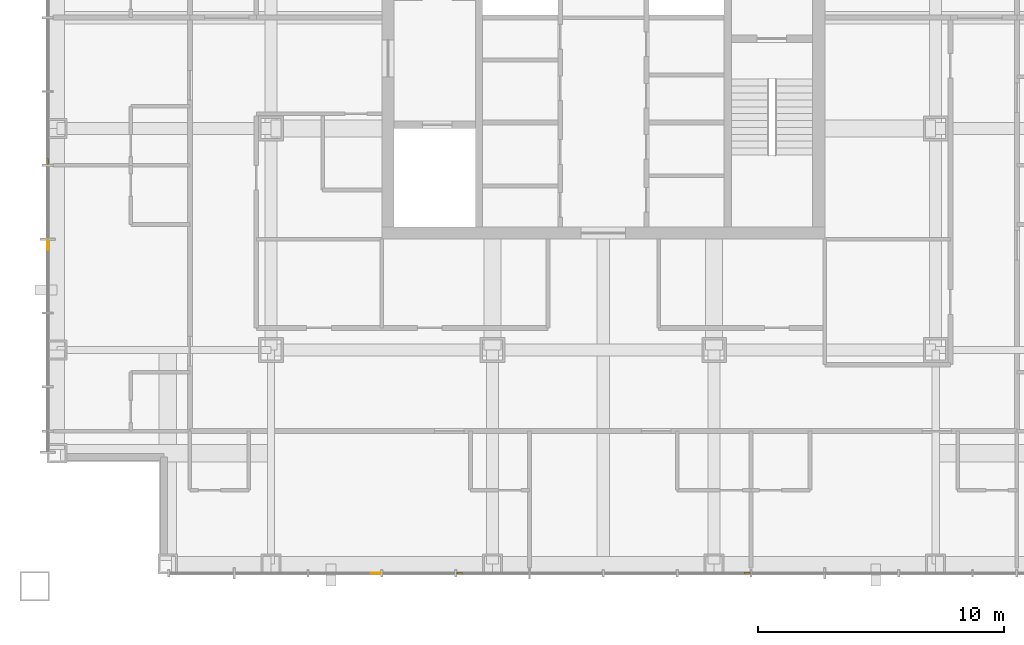
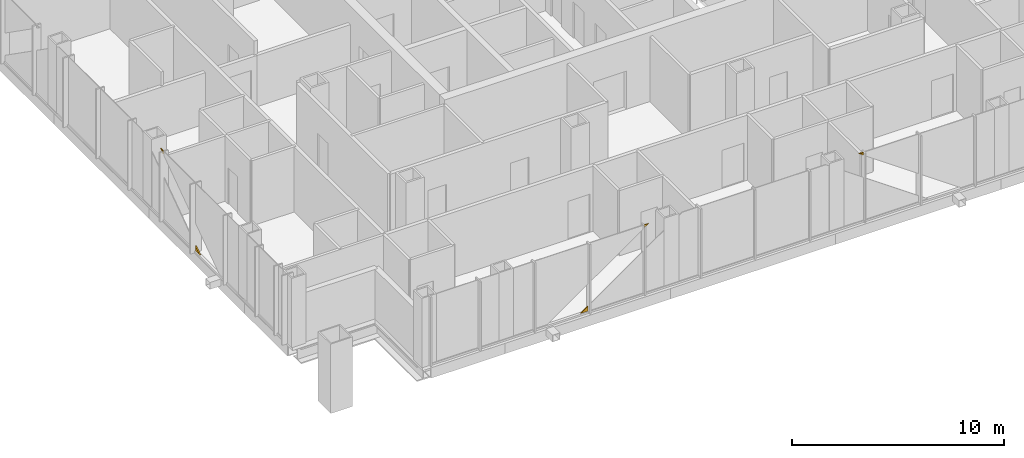
# One storey, part 13 of 17: 5 coverings.
"""IFC4 building model written with IfcOpenShell, lengths in metres."""

from ifc_helpers import new_model, si_unit, direction, frame, origin, place, context, subcontext, project, spatial, polyline, outline, extrude, material, layer, layer_set, type_object, element, save


model = new_model("IFC4")

# Units and contexts
model_context = context("Model", 3, precision=1e-05, world=origin(), true_north=direction((0.0, 1.0)))
body_context = subcontext(model_context, "Body", "Model", "MODEL_VIEW")
ifc_project = project(units=[si_unit("LENGTHUNIT", "METRE"), si_unit("AREAUNIT", "SQUARE_METRE"), si_unit("VOLUMEUNIT", "CUBIC_METRE"), si_unit("PLANEANGLEUNIT", "RADIAN"), si_unit("MASSUNIT", "GRAM", prefix="KILO")], contexts=[model_context])

# Site, building, storey
site_placement = place(None, origin())
site = spatial("IfcSite", under=ifc_project, at=site_placement, CompositionType="ELEMENT")
building_placement = place(site_placement, origin())
building = spatial("IfcBuilding", under=site, at=building_placement, Name="Malebo Sky Hospital", CompositionType="ELEMENT")
storey_placement = place(building_placement, frame((0.0, 0.0, 185.0)))
storey = spatial("IfcBuildingStorey", under=building, at=storey_placement, Name="L44", CompositionType="ELEMENT", Elevation=185.0)

# Coverings
ifc_material = material(Name="Anodised aluminium, natural silver insulated infill panel", Category="aluminium")
ifc_layer = layer(ifc_material, 0.0400390625)
ifc_layer_set = layer_set([ifc_layer], Name="BRACE INFILL PANEL 40")
covering_type = type_object("IfcCoveringType", Name="BRACE INFILL PANEL 40", PredefinedType="CLADDING", material=ifc_layer_set)
covering_1_placement = place(storey_placement, frame((37.425048828125, 52.759521484375, 0.10009765625), z_axis=(0.0, 0.0, 1.0), x_axis=(0.0, 1.0, 0.0)))
element("IfcCovering", 1, at=covering_1_placement, inside=storey, type_object=covering_type, Name="Brace infill panel 4.1", PredefinedType="CLADDING", context=body_context, shape_type="SweptSolid", body=[
    extrude(outline(polyline([(-0.202880859375, 0.0), (0.202880859375, 0.0), (0.202880859375, 0.284912109375), (-0.202880859375, 0.0)])), frame((0.0, 0.02001953125, 0.0), z_axis=(0.0, -1.0, 0.0), x_axis=(1.0, 0.0, 0.0)), (0.0, 0.0, 1.0), 0.0400390625),
])
for number, where, z_axis, x_axis, name in (
    (2, (37.425048828125, 56.152099609375, 3.8291015625), (0.0, 0.0, 1.0), (0.0, 1.0, 0.0), "Brace infill panel 6.1"),
    (3, (65.847900390625, 39.425048828125, 3.8291015625), (0.0, 0.0, 1.0), (-1.0, 0.0, 0.0), "Brace infill panel 6.1"),
):
    element("IfcCovering", number, at=place(storey_placement, frame(where, z_axis=z_axis, x_axis=x_axis)), inside=storey, type_object=covering_type, Name=name, PredefinedType="CLADDING", context=body_context, shape_type="SweptSolid", body=[
        extrude(outline(polyline([(-0.114501953125, 0.0), (0.114501953125, 0.160888671875), (-0.114501953125, 0.160888671875), (-0.114501953125, 0.0)])), frame((0.0, 0.02001953125, 0.0), z_axis=(0.0, -1.0, 0.0), x_axis=(1.0, 0.0, 0.0)), (0.0, 0.0, 1.0), 0.0400390625),
    ])
covering_2_placement = place(storey_placement, frame((54.152099609375, 39.425048828125, 3.8291015625), z_axis=(0.0, 0.0, 1.0), x_axis=(-1.0, 0.0, 0.0)))
element("IfcCovering", 4, at=covering_2_placement, inside=storey, type_object=covering_type, Name="Brace infill panel 9.1", PredefinedType="CLADDING", context=body_context, shape_type="SweptSolid", body=[
    extrude(outline(polyline([(0.114501953125, 0.0), (0.114501953125, 0.160888671875), (-0.114501953125, 0.160888671875), (0.114501953125, 0.0)])), frame((0.0, 0.02001953125, 0.0), z_axis=(0.0, -1.0, 0.0), x_axis=(1.0, 0.0, 0.0)), (0.0, 0.0, 1.0), 0.0400390625),
])
covering_3_placement = place(storey_placement, frame((50.759521484375, 39.425048828125, 0.10009765625), z_axis=(0.0, 0.0, 1.0), x_axis=(-1.0, 0.0, 0.0)))
element("IfcCovering", 5, at=covering_3_placement, inside=storey, type_object=covering_type, Name="Brace infill panel 11.1", PredefinedType="CLADDING", context=body_context, shape_type="SweptSolid", body=[
    extrude(outline(polyline([(-0.202880859375, 0.0), (0.202880859375, 0.0), (-0.202880859375, 0.284912109375), (-0.202880859375, 0.0)])), frame((0.0, 0.02001953125, 0.0), z_axis=(0.0, -1.0, 0.0), x_axis=(1.0, 0.0, 0.0)), (0.0, 0.0, 1.0), 0.0400390625),
])

save(model, "model.ifc")
